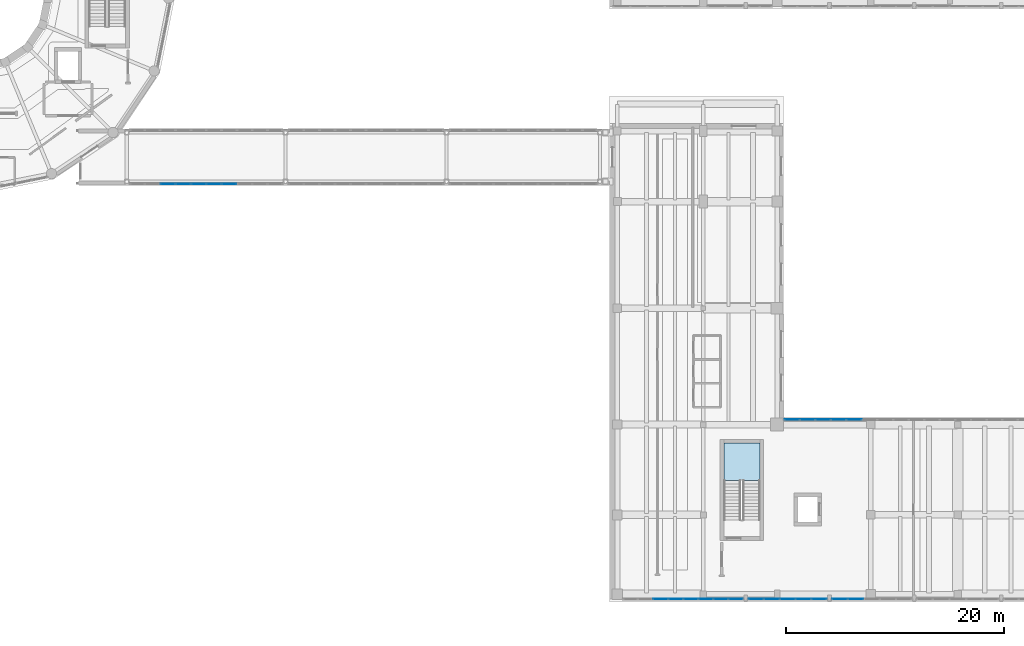
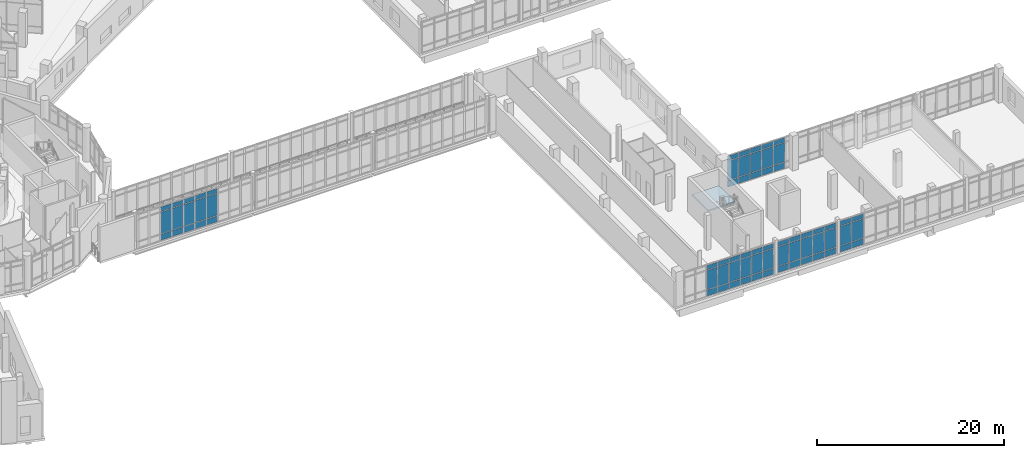
# One storey, part 48 of 89: 69 plates, 1 slab, 6 elements without a shape of their own.
"""IFC4 building model written with IfcOpenShell, lengths in metres."""

from ifc_helpers import new_model, si_unit, direction, frame, origin, origin_2d, place, context, subcontext, project, spatial, polyline, rectangle, outline, extrude, material, layer, layer_set, type_object, element, aggregate, save


model = new_model("IFC4")

# Units and contexts
model_context = context("Model", 3, precision=1e-05, world=origin(), true_north=direction((0.0, 1.0)))
body_context = subcontext(model_context, "Body", "Model", "MODEL_VIEW")
ifc_project = project(units=[si_unit("LENGTHUNIT", "METRE"), si_unit("AREAUNIT", "SQUARE_METRE"), si_unit("VOLUMEUNIT", "CUBIC_METRE"), si_unit("PLANEANGLEUNIT", "RADIAN"), si_unit("MASSUNIT", "GRAM", prefix="KILO")], contexts=[model_context])

# Site, building, storey
site_placement = place(None, origin())
site = spatial("IfcSite", under=ifc_project, at=site_placement, CompositionType="ELEMENT")
building_placement = place(site_placement, origin())
building = spatial("IfcBuilding", under=site, at=building_placement, Name="Soyqirgoq Riverine Aquarium", CompositionType="ELEMENT")
storey_placement = place(building_placement, frame((0.0, 0.0, 5.39990234375)))
storey = spatial("IfcBuildingStorey", under=building, at=storey_placement, Name="L02", CompositionType="ELEMENT", Elevation=5.39990234375)

# Curtain wall, plates
ifc_material_1 = material(Name="Anodised aluminium thermally broken gallery curtain wall", Category="aluminium")
curtain_wall_type_1 = type_object("IfcCurtainWallType", Name="CW_Pavilion_Ribbon", PredefinedType="NOTDEFINED", material=ifc_material_1)
curtain_wall_1_placement = place(storey_placement, origin())
curtain_wall_1 = element("IfcCurtainWall", 1, at=curtain_wall_1_placement, inside=storey, type_object=curtain_wall_type_1, Name="V6 L02 Curtain Wall 112", PredefinedType="NOTDEFINED")
ifc_material_2 = material(Name="Triple insulated laminated low-E glass", Category="glass")
ifc_layer_1 = layer(ifc_material_2, 0.0458984375)
ifc_layer_set_1 = layer_set([ifc_layer_1], Name="Triple insulated laminated low-E glass")
plate_type = type_object("IfcPlateType", Name="CWGlazedPanel_46", PredefinedType="CURTAIN_PANEL", material=ifc_layer_set_1)
plate_1_placement = place(storey_placement, frame((130.752685546875, 18.25, 0.074951171875), z_axis=(0.0, 0.0, 1.0), x_axis=(1.0, 0.0, 0.0)))
plate_1 = element("IfcPlate", 2, at=plate_1_placement, type_object=plate_type, Name="CW-05 panel 1.1", PredefinedType="CURTAIN_PANEL", context=body_context, shape_type="SweptSolid", body=[
    extrude(rectangle(XDim=1.33544921875, YDim=0.0458984375, at=origin_2d()), origin(), (0.0, 0.0, 1.0), 0.78759765625),
])
plate_2_placement = place(storey_placement, frame((130.752685546875, 18.25, 0.9375), z_axis=(0.0, 0.0, 1.0), x_axis=(1.0, 0.0, 0.0)))
plate_2 = element("IfcPlate", 3, at=plate_2_placement, type_object=plate_type, Name="CW-05 panel 1.2", PredefinedType="CURTAIN_PANEL", context=body_context, shape_type="SweptSolid", body=[
    extrude(rectangle(XDim=1.33544921875, YDim=0.0458984375, at=origin_2d()), origin(), (0.0, 0.0, 1.0), 2.4951171875),
])
plate_3_placement = place(storey_placement, frame((130.752685546875, 18.25, 3.507568359375), z_axis=(0.0, 0.0, 1.0), x_axis=(1.0, 0.0, 0.0)))
plate_3 = element("IfcPlate", 4, at=plate_3_placement, type_object=plate_type, Name="CW-05 panel 1.3", PredefinedType="CURTAIN_PANEL", context=body_context, shape_type="SweptSolid", body=[
    extrude(rectangle(XDim=1.33544921875, YDim=0.0458984375, at=origin_2d()), origin(), (0.0, 0.0, 1.0), 0.58740234375),
])
plate_4_placement = place(storey_placement, frame((132.169677734375, 18.25, 0.074951171875), z_axis=(0.0, 0.0, 1.0), x_axis=(1.0, 0.0, 0.0)))
plate_4 = element("IfcPlate", 5, at=plate_4_placement, type_object=plate_type, Name="CW-05 panel 2.1", PredefinedType="CURTAIN_PANEL", context=body_context, shape_type="SweptSolid", body=[
    extrude(rectangle(XDim=1.3681640625, YDim=0.0458984375, at=origin_2d()), origin(), (0.0, 0.0, 1.0), 0.78759765625),
])
plate_5_placement = place(storey_placement, frame((132.169677734375, 18.25, 0.9375), z_axis=(0.0, 0.0, 1.0), x_axis=(1.0, 0.0, 0.0)))
plate_5 = element("IfcPlate", 6, at=plate_5_placement, type_object=plate_type, Name="CW-05 panel 2.2", PredefinedType="CURTAIN_PANEL", context=body_context, shape_type="SweptSolid", body=[
    extrude(rectangle(XDim=1.3681640625, YDim=0.0458984375, at=origin_2d()), origin(), (0.0, 0.0, 1.0), 2.4951171875),
])
plate_6_placement = place(storey_placement, frame((132.169677734375, 18.25, 3.507568359375), z_axis=(0.0, 0.0, 1.0), x_axis=(1.0, 0.0, 0.0)))
plate_6 = element("IfcPlate", 7, at=plate_6_placement, type_object=plate_type, Name="CW-05 panel 2.3", PredefinedType="CURTAIN_PANEL", context=body_context, shape_type="SweptSolid", body=[
    extrude(rectangle(XDim=1.3681640625, YDim=0.0458984375, at=origin_2d()), origin(), (0.0, 0.0, 1.0), 0.58740234375),
])
plate_7_placement = place(storey_placement, frame((133.6025390625, 18.25, 0.074951171875), z_axis=(0.0, 0.0, 1.0), x_axis=(1.0, 0.0, 0.0)))
plate_7 = element("IfcPlate", 8, at=plate_7_placement, type_object=plate_type, Name="CW-05 panel 3.1", PredefinedType="CURTAIN_PANEL", context=body_context, shape_type="SweptSolid", body=[
    extrude(rectangle(XDim=1.3681640625, YDim=0.0458984375, at=origin_2d()), origin(), (0.0, 0.0, 1.0), 0.78759765625),
])
plate_8_placement = place(storey_placement, frame((133.6025390625, 18.25, 0.9375), z_axis=(0.0, 0.0, 1.0), x_axis=(1.0, 0.0, 0.0)))
plate_8 = element("IfcPlate", 9, at=plate_8_placement, type_object=plate_type, Name="CW-05 panel 3.2", PredefinedType="CURTAIN_PANEL", context=body_context, shape_type="SweptSolid", body=[
    extrude(rectangle(XDim=1.3681640625, YDim=0.0458984375, at=origin_2d()), origin(), (0.0, 0.0, 1.0), 2.4951171875),
])
plate_9_placement = place(storey_placement, frame((133.6025390625, 18.25, 3.507568359375), z_axis=(0.0, 0.0, 1.0), x_axis=(1.0, 0.0, 0.0)))
plate_9 = element("IfcPlate", 10, at=plate_9_placement, type_object=plate_type, Name="CW-05 panel 3.3", PredefinedType="CURTAIN_PANEL", context=body_context, shape_type="SweptSolid", body=[
    extrude(rectangle(XDim=1.3681640625, YDim=0.0458984375, at=origin_2d()), origin(), (0.0, 0.0, 1.0), 0.58740234375),
])
plate_10_placement = place(storey_placement, frame((135.03564453125, 18.25, 0.074951171875), z_axis=(0.0, 0.0, 1.0), x_axis=(1.0, 0.0, 0.0)))
plate_10 = element("IfcPlate", 11, at=plate_10_placement, type_object=plate_type, Name="CW-05 panel 4.1", PredefinedType="CURTAIN_PANEL", context=body_context, shape_type="SweptSolid", body=[
    extrude(rectangle(XDim=1.3681640625, YDim=0.0458984375, at=origin_2d()), origin(), (0.0, 0.0, 1.0), 0.78759765625),
])
plate_11_placement = place(storey_placement, frame((135.03564453125, 18.25, 0.9375), z_axis=(0.0, 0.0, 1.0), x_axis=(1.0, 0.0, 0.0)))
plate_11 = element("IfcPlate", 12, at=plate_11_placement, type_object=plate_type, Name="CW-05 panel 4.2", PredefinedType="CURTAIN_PANEL", context=body_context, shape_type="SweptSolid", body=[
    extrude(rectangle(XDim=1.3681640625, YDim=0.0458984375, at=origin_2d()), origin(), (0.0, 0.0, 1.0), 2.4951171875),
])
plate_12_placement = place(storey_placement, frame((135.03564453125, 18.25, 3.507568359375), z_axis=(0.0, 0.0, 1.0), x_axis=(1.0, 0.0, 0.0)))
plate_12 = element("IfcPlate", 13, at=plate_12_placement, type_object=plate_type, Name="CW-05 panel 4.3", PredefinedType="CURTAIN_PANEL", context=body_context, shape_type="SweptSolid", body=[
    extrude(rectangle(XDim=1.3681640625, YDim=0.0458984375, at=origin_2d()), origin(), (0.0, 0.0, 1.0), 0.58740234375),
])
plate_13_placement = place(storey_placement, frame((136.46875, 18.25, 0.074951171875), z_axis=(0.0, 0.0, 1.0), x_axis=(1.0, 0.0, 0.0)))
plate_13 = element("IfcPlate", 14, at=plate_13_placement, type_object=plate_type, Name="CW-05 panel 5.1", PredefinedType="CURTAIN_PANEL", context=body_context, shape_type="SweptSolid", body=[
    extrude(rectangle(XDim=1.3681640625, YDim=0.0458984375, at=origin_2d()), origin(), (0.0, 0.0, 1.0), 0.78759765625),
])
plate_14_placement = place(storey_placement, frame((136.46875, 18.25, 0.9375), z_axis=(0.0, 0.0, 1.0), x_axis=(1.0, 0.0, 0.0)))
plate_14 = element("IfcPlate", 15, at=plate_14_placement, type_object=plate_type, Name="CW-05 panel 5.2", PredefinedType="CURTAIN_PANEL", context=body_context, shape_type="SweptSolid", body=[
    extrude(rectangle(XDim=1.3681640625, YDim=0.0458984375, at=origin_2d()), origin(), (0.0, 0.0, 1.0), 2.4951171875),
])
plate_15_placement = place(storey_placement, frame((136.46875, 18.25, 3.507568359375), z_axis=(0.0, 0.0, 1.0), x_axis=(1.0, 0.0, 0.0)))
plate_15 = element("IfcPlate", 16, at=plate_15_placement, type_object=plate_type, Name="CW-05 panel 5.3", PredefinedType="CURTAIN_PANEL", context=body_context, shape_type="SweptSolid", body=[
    extrude(rectangle(XDim=1.3681640625, YDim=0.0458984375, at=origin_2d()), origin(), (0.0, 0.0, 1.0), 0.58740234375),
])
aggregate(curtain_wall_1, [plate_1, plate_2, plate_3, plate_4, plate_5, plate_6, plate_7, plate_8, plate_9, plate_10, plate_11, plate_12, plate_13, plate_14, plate_15])

curtain_wall_2_placement = place(storey_placement, origin())
curtain_wall_2 = element("IfcCurtainWall", 17, at=curtain_wall_2_placement, inside=storey, type_object=curtain_wall_type_1, Name="V6 L02 Curtain Wall 115", PredefinedType="NOTDEFINED")
plate_16_placement = place(storey_placement, frame((136.617919921875, 1.75, 0.074951171875), z_axis=(0.0, 0.0, 1.0), x_axis=(-1.0, 0.0, 0.0)))
plate_16 = element("IfcPlate", 18, at=plate_16_placement, type_object=plate_type, Name="CW-05 panel 4.1", PredefinedType="CURTAIN_PANEL", context=body_context, shape_type="SweptSolid", body=[
    extrude(rectangle(XDim=1.4169921875, YDim=0.0458984375, at=origin_2d()), origin(), (0.0, 0.0, 1.0), 0.78759765625),
])
plate_17_placement = place(storey_placement, frame((136.617919921875, 1.75, 0.9375), z_axis=(0.0, 0.0, 1.0), x_axis=(-1.0, 0.0, 0.0)))
plate_17 = element("IfcPlate", 19, at=plate_17_placement, type_object=plate_type, Name="CW-05 panel 4.2", PredefinedType="CURTAIN_PANEL", context=body_context, shape_type="SweptSolid", body=[
    extrude(rectangle(XDim=1.4169921875, YDim=0.0458984375, at=origin_2d()), origin(), (0.0, 0.0, 1.0), 2.4951171875),
])
plate_18_placement = place(storey_placement, frame((136.617919921875, 1.75, 3.507568359375), z_axis=(0.0, 0.0, 1.0), x_axis=(-1.0, 0.0, 0.0)))
plate_18 = element("IfcPlate", 20, at=plate_18_placement, type_object=plate_type, Name="CW-05 panel 4.3", PredefinedType="CURTAIN_PANEL", context=body_context, shape_type="SweptSolid", body=[
    extrude(rectangle(XDim=1.4169921875, YDim=0.0458984375, at=origin_2d()), origin(), (0.0, 0.0, 1.0), 0.58740234375),
])
plate_19_placement = place(storey_placement, frame((135.15234375, 1.75, 0.074951171875), z_axis=(0.0, 0.0, 1.0), x_axis=(-1.0, 0.0, 0.0)))
plate_19 = element("IfcPlate", 21, at=plate_19_placement, type_object=plate_type, Name="CW-05 panel 5.1", PredefinedType="CURTAIN_PANEL", context=body_context, shape_type="SweptSolid", body=[
    extrude(rectangle(XDim=1.384521484375, YDim=0.0458984375, at=origin_2d()), origin(), (0.0, 0.0, 1.0), 0.78759765625),
])
plate_20_placement = place(storey_placement, frame((135.15234375, 1.75, 0.9375), z_axis=(0.0, 0.0, 1.0), x_axis=(-1.0, 0.0, 0.0)))
plate_20 = element("IfcPlate", 22, at=plate_20_placement, type_object=plate_type, Name="CW-05 panel 5.2", PredefinedType="CURTAIN_PANEL", context=body_context, shape_type="SweptSolid", body=[
    extrude(rectangle(XDim=1.384521484375, YDim=0.0458984375, at=origin_2d()), origin(), (0.0, 0.0, 1.0), 2.4951171875),
])
plate_21_placement = place(storey_placement, frame((135.15234375, 1.75, 3.507568359375), z_axis=(0.0, 0.0, 1.0), x_axis=(-1.0, 0.0, 0.0)))
plate_21 = element("IfcPlate", 23, at=plate_21_placement, type_object=plate_type, Name="CW-05 panel 5.3", PredefinedType="CURTAIN_PANEL", context=body_context, shape_type="SweptSolid", body=[
    extrude(rectangle(XDim=1.384521484375, YDim=0.0458984375, at=origin_2d()), origin(), (0.0, 0.0, 1.0), 0.58740234375),
])
aggregate(curtain_wall_2, [plate_16, plate_17, plate_18, plate_19, plate_20, plate_21])

curtain_wall_3_placement = place(storey_placement, origin())
curtain_wall_3 = element("IfcCurtainWall", 24, at=curtain_wall_3_placement, inside=storey, type_object=curtain_wall_type_1, Name="V6 L02 Curtain Wall 116", PredefinedType="NOTDEFINED")
plate_22_placement = place(storey_placement, frame((133.2578125, 1.75, 0.074951171875), z_axis=(0.0, 0.0, 1.0), x_axis=(-1.0, 0.0, 0.0)))
plate_22 = element("IfcPlate", 25, at=plate_22_placement, type_object=plate_type, Name="CW-05 panel 1.1", PredefinedType="CURTAIN_PANEL", context=body_context, shape_type="SweptSolid", body=[
    extrude(rectangle(XDim=1.364501953125, YDim=0.0458984375, at=origin_2d()), origin(), (0.0, 0.0, 1.0), 0.78759765625),
])
plate_23_placement = place(storey_placement, frame((133.2578125, 1.75, 0.9375), z_axis=(0.0, 0.0, 1.0), x_axis=(-1.0, 0.0, 0.0)))
plate_23 = element("IfcPlate", 26, at=plate_23_placement, type_object=plate_type, Name="CW-05 panel 1.2", PredefinedType="CURTAIN_PANEL", context=body_context, shape_type="SweptSolid", body=[
    extrude(rectangle(XDim=1.364501953125, YDim=0.0458984375, at=origin_2d()), origin(), (0.0, 0.0, 1.0), 2.4951171875),
])
plate_24_placement = place(storey_placement, frame((133.2578125, 1.75, 3.507568359375), z_axis=(0.0, 0.0, 1.0), x_axis=(-1.0, 0.0, 0.0)))
plate_24 = element("IfcPlate", 27, at=plate_24_placement, type_object=plate_type, Name="CW-05 panel 1.3", PredefinedType="CURTAIN_PANEL", context=body_context, shape_type="SweptSolid", body=[
    extrude(rectangle(XDim=1.364501953125, YDim=0.0458984375, at=origin_2d()), origin(), (0.0, 0.0, 1.0), 0.58740234375),
])
plate_25_placement = place(storey_placement, frame((131.81201171875, 1.75, 0.074951171875), z_axis=(0.0, 0.0, 1.0), x_axis=(-1.0, 0.0, 0.0)))
plate_25 = element("IfcPlate", 28, at=plate_25_placement, type_object=plate_type, Name="CW-05 panel 2.1", PredefinedType="CURTAIN_PANEL", context=body_context, shape_type="SweptSolid", body=[
    extrude(rectangle(XDim=1.39697265625, YDim=0.0458984375, at=origin_2d()), origin(), (0.0, 0.0, 1.0), 0.78759765625),
])
plate_26_placement = place(storey_placement, frame((131.81201171875, 1.75, 0.9375), z_axis=(0.0, 0.0, 1.0), x_axis=(-1.0, 0.0, 0.0)))
plate_26 = element("IfcPlate", 29, at=plate_26_placement, type_object=plate_type, Name="CW-05 panel 2.2", PredefinedType="CURTAIN_PANEL", context=body_context, shape_type="SweptSolid", body=[
    extrude(rectangle(XDim=1.39697265625, YDim=0.0458984375, at=origin_2d()), origin(), (0.0, 0.0, 1.0), 2.4951171875),
])
plate_27_placement = place(storey_placement, frame((131.81201171875, 1.75, 3.507568359375), z_axis=(0.0, 0.0, 1.0), x_axis=(-1.0, 0.0, 0.0)))
plate_27 = element("IfcPlate", 30, at=plate_27_placement, type_object=plate_type, Name="CW-05 panel 2.3", PredefinedType="CURTAIN_PANEL", context=body_context, shape_type="SweptSolid", body=[
    extrude(rectangle(XDim=1.39697265625, YDim=0.0458984375, at=origin_2d()), origin(), (0.0, 0.0, 1.0), 0.58740234375),
])
plate_28_placement = place(storey_placement, frame((130.35009765625, 1.75, 0.074951171875), z_axis=(0.0, 0.0, 1.0), x_axis=(-1.0, 0.0, 0.0)))
plate_28 = element("IfcPlate", 31, at=plate_28_placement, type_object=plate_type, Name="CW-05 panel 3.1", PredefinedType="CURTAIN_PANEL", context=body_context, shape_type="SweptSolid", body=[
    extrude(rectangle(XDim=1.39697265625, YDim=0.0458984375, at=origin_2d()), origin(), (0.0, 0.0, 1.0), 0.78759765625),
])
plate_29_placement = place(storey_placement, frame((130.35009765625, 1.75, 0.9375), z_axis=(0.0, 0.0, 1.0), x_axis=(-1.0, 0.0, 0.0)))
plate_29 = element("IfcPlate", 32, at=plate_29_placement, type_object=plate_type, Name="CW-05 panel 3.2", PredefinedType="CURTAIN_PANEL", context=body_context, shape_type="SweptSolid", body=[
    extrude(rectangle(XDim=1.39697265625, YDim=0.0458984375, at=origin_2d()), origin(), (0.0, 0.0, 1.0), 2.4951171875),
])
plate_30_placement = place(storey_placement, frame((130.35009765625, 1.75, 3.507568359375), z_axis=(0.0, 0.0, 1.0), x_axis=(-1.0, 0.0, 0.0)))
plate_30 = element("IfcPlate", 33, at=plate_30_placement, type_object=plate_type, Name="CW-05 panel 3.3", PredefinedType="CURTAIN_PANEL", context=body_context, shape_type="SweptSolid", body=[
    extrude(rectangle(XDim=1.39697265625, YDim=0.0458984375, at=origin_2d()), origin(), (0.0, 0.0, 1.0), 0.58740234375),
])
plate_31_placement = place(storey_placement, frame((128.887939453125, 1.75, 0.074951171875), z_axis=(0.0, 0.0, 1.0), x_axis=(-1.0, 0.0, 0.0)))
plate_31 = element("IfcPlate", 34, at=plate_31_placement, type_object=plate_type, Name="CW-05 panel 4.1", PredefinedType="CURTAIN_PANEL", context=body_context, shape_type="SweptSolid", body=[
    extrude(rectangle(XDim=1.39697265625, YDim=0.0458984375, at=origin_2d()), origin(), (0.0, 0.0, 1.0), 0.78759765625),
])
plate_32_placement = place(storey_placement, frame((128.887939453125, 1.75, 0.9375), z_axis=(0.0, 0.0, 1.0), x_axis=(-1.0, 0.0, 0.0)))
plate_32 = element("IfcPlate", 35, at=plate_32_placement, type_object=plate_type, Name="CW-05 panel 4.2", PredefinedType="CURTAIN_PANEL", context=body_context, shape_type="SweptSolid", body=[
    extrude(rectangle(XDim=1.39697265625, YDim=0.0458984375, at=origin_2d()), origin(), (0.0, 0.0, 1.0), 2.4951171875),
])
plate_33_placement = place(storey_placement, frame((128.887939453125, 1.75, 3.507568359375), z_axis=(0.0, 0.0, 1.0), x_axis=(-1.0, 0.0, 0.0)))
plate_33 = element("IfcPlate", 36, at=plate_33_placement, type_object=plate_type, Name="CW-05 panel 4.3", PredefinedType="CURTAIN_PANEL", context=body_context, shape_type="SweptSolid", body=[
    extrude(rectangle(XDim=1.39697265625, YDim=0.0458984375, at=origin_2d()), origin(), (0.0, 0.0, 1.0), 0.58740234375),
])
plate_34_placement = place(storey_placement, frame((127.442138671875, 1.75, 0.074951171875), z_axis=(0.0, 0.0, 1.0), x_axis=(-1.0, 0.0, 0.0)))
plate_34 = element("IfcPlate", 37, at=plate_34_placement, type_object=plate_type, Name="CW-05 panel 5.1", PredefinedType="CURTAIN_PANEL", context=body_context, shape_type="SweptSolid", body=[
    extrude(rectangle(XDim=1.364501953125, YDim=0.0458984375, at=origin_2d()), origin(), (0.0, 0.0, 1.0), 0.78759765625),
])
plate_35_placement = place(storey_placement, frame((127.442138671875, 1.75, 0.9375), z_axis=(0.0, 0.0, 1.0), x_axis=(-1.0, 0.0, 0.0)))
plate_35 = element("IfcPlate", 38, at=plate_35_placement, type_object=plate_type, Name="CW-05 panel 5.2", PredefinedType="CURTAIN_PANEL", context=body_context, shape_type="SweptSolid", body=[
    extrude(rectangle(XDim=1.364501953125, YDim=0.0458984375, at=origin_2d()), origin(), (0.0, 0.0, 1.0), 2.4951171875),
])
plate_36_placement = place(storey_placement, frame((127.442138671875, 1.75, 3.507568359375), z_axis=(0.0, 0.0, 1.0), x_axis=(-1.0, 0.0, 0.0)))
plate_36 = element("IfcPlate", 39, at=plate_36_placement, type_object=plate_type, Name="CW-05 panel 5.3", PredefinedType="CURTAIN_PANEL", context=body_context, shape_type="SweptSolid", body=[
    extrude(rectangle(XDim=1.364501953125, YDim=0.0458984375, at=origin_2d()), origin(), (0.0, 0.0, 1.0), 0.58740234375),
])
aggregate(curtain_wall_3, [plate_22, plate_23, plate_24, plate_25, plate_26, plate_27, plate_28, plate_29, plate_30, plate_31, plate_32, plate_33, plate_34, plate_35, plate_36])

curtain_wall_4_placement = place(storey_placement, origin())
curtain_wall_4 = element("IfcCurtainWall", 40, at=curtain_wall_4_placement, inside=storey, type_object=curtain_wall_type_1, Name="V6 L02 Curtain Wall 117", PredefinedType="NOTDEFINED")
plate_37_placement = place(storey_placement, frame((125.594482421875, 1.75, 0.074951171875), z_axis=(0.0, 0.0, 1.0), x_axis=(-1.0, 0.0, 0.0)))
plate_37 = element("IfcPlate", 41, at=plate_37_placement, type_object=plate_type, Name="CW-05 panel 1.1", PredefinedType="CURTAIN_PANEL", context=body_context, shape_type="SweptSolid", body=[
    extrude(rectangle(XDim=1.291259765625, YDim=0.0458984375, at=origin_2d()), origin(), (0.0, 0.0, 1.0), 0.78759765625),
])
plate_38_placement = place(storey_placement, frame((125.594482421875, 1.75, 0.9375), z_axis=(0.0, 0.0, 1.0), x_axis=(-1.0, 0.0, 0.0)))
plate_38 = element("IfcPlate", 42, at=plate_38_placement, type_object=plate_type, Name="CW-05 panel 1.2", PredefinedType="CURTAIN_PANEL", context=body_context, shape_type="SweptSolid", body=[
    extrude(rectangle(XDim=1.291259765625, YDim=0.0458984375, at=origin_2d()), origin(), (0.0, 0.0, 1.0), 2.4951171875),
])
plate_39_placement = place(storey_placement, frame((125.594482421875, 1.75, 3.507568359375), z_axis=(0.0, 0.0, 1.0), x_axis=(-1.0, 0.0, 0.0)))
plate_39 = element("IfcPlate", 43, at=plate_39_placement, type_object=plate_type, Name="CW-05 panel 1.3", PredefinedType="CURTAIN_PANEL", context=body_context, shape_type="SweptSolid", body=[
    extrude(rectangle(XDim=1.291259765625, YDim=0.0458984375, at=origin_2d()), origin(), (0.0, 0.0, 1.0), 0.58740234375),
])
plate_40_placement = place(storey_placement, frame((124.221923828125, 1.75, 0.074951171875), z_axis=(0.0, 0.0, 1.0), x_axis=(-1.0, 0.0, 0.0)))
plate_40 = element("IfcPlate", 44, at=plate_40_placement, type_object=plate_type, Name="CW-05 panel 2.1", PredefinedType="CURTAIN_PANEL", context=body_context, shape_type="SweptSolid", body=[
    extrude(rectangle(XDim=1.32373046875, YDim=0.0458984375, at=origin_2d()), origin(), (0.0, 0.0, 1.0), 0.78759765625),
])
plate_41_placement = place(storey_placement, frame((124.221923828125, 1.75, 0.9375), z_axis=(0.0, 0.0, 1.0), x_axis=(-1.0, 0.0, 0.0)))
plate_41 = element("IfcPlate", 45, at=plate_41_placement, type_object=plate_type, Name="CW-05 panel 2.2", PredefinedType="CURTAIN_PANEL", context=body_context, shape_type="SweptSolid", body=[
    extrude(rectangle(XDim=1.32373046875, YDim=0.0458984375, at=origin_2d()), origin(), (0.0, 0.0, 1.0), 2.4951171875),
])
plate_42_placement = place(storey_placement, frame((124.221923828125, 1.75, 3.507568359375), z_axis=(0.0, 0.0, 1.0), x_axis=(-1.0, 0.0, 0.0)))
plate_42 = element("IfcPlate", 46, at=plate_42_placement, type_object=plate_type, Name="CW-05 panel 2.3", PredefinedType="CURTAIN_PANEL", context=body_context, shape_type="SweptSolid", body=[
    extrude(rectangle(XDim=1.32373046875, YDim=0.0458984375, at=origin_2d()), origin(), (0.0, 0.0, 1.0), 0.58740234375),
])
plate_43_placement = place(storey_placement, frame((122.8330078125, 1.75, 0.074951171875), z_axis=(0.0, 0.0, 1.0), x_axis=(-1.0, 0.0, 0.0)))
plate_43 = element("IfcPlate", 47, at=plate_43_placement, type_object=plate_type, Name="CW-05 panel 3.1", PredefinedType="CURTAIN_PANEL", context=body_context, shape_type="SweptSolid", body=[
    extrude(rectangle(XDim=1.32373046875, YDim=0.0458984375, at=origin_2d()), origin(), (0.0, 0.0, 1.0), 0.78759765625),
])
plate_44_placement = place(storey_placement, frame((122.8330078125, 1.75, 0.9375), z_axis=(0.0, 0.0, 1.0), x_axis=(-1.0, 0.0, 0.0)))
plate_44 = element("IfcPlate", 48, at=plate_44_placement, type_object=plate_type, Name="CW-05 panel 3.2", PredefinedType="CURTAIN_PANEL", context=body_context, shape_type="SweptSolid", body=[
    extrude(rectangle(XDim=1.32373046875, YDim=0.0458984375, at=origin_2d()), origin(), (0.0, 0.0, 1.0), 2.4951171875),
])
plate_45_placement = place(storey_placement, frame((122.8330078125, 1.75, 3.507568359375), z_axis=(0.0, 0.0, 1.0), x_axis=(-1.0, 0.0, 0.0)))
plate_45 = element("IfcPlate", 49, at=plate_45_placement, type_object=plate_type, Name="CW-05 panel 3.3", PredefinedType="CURTAIN_PANEL", context=body_context, shape_type="SweptSolid", body=[
    extrude(rectangle(XDim=1.32373046875, YDim=0.0458984375, at=origin_2d()), origin(), (0.0, 0.0, 1.0), 0.58740234375),
])
plate_46_placement = place(storey_placement, frame((121.4443359375, 1.75, 0.074951171875), z_axis=(0.0, 0.0, 1.0), x_axis=(-1.0, 0.0, 0.0)))
plate_46 = element("IfcPlate", 50, at=plate_46_placement, type_object=plate_type, Name="CW-05 panel 4.1", PredefinedType="CURTAIN_PANEL", context=body_context, shape_type="SweptSolid", body=[
    extrude(rectangle(XDim=1.32373046875, YDim=0.0458984375, at=origin_2d()), origin(), (0.0, 0.0, 1.0), 0.78759765625),
])
plate_47_placement = place(storey_placement, frame((121.4443359375, 1.75, 0.9375), z_axis=(0.0, 0.0, 1.0), x_axis=(-1.0, 0.0, 0.0)))
plate_47 = element("IfcPlate", 51, at=plate_47_placement, type_object=plate_type, Name="CW-05 panel 4.2", PredefinedType="CURTAIN_PANEL", context=body_context, shape_type="SweptSolid", body=[
    extrude(rectangle(XDim=1.32373046875, YDim=0.0458984375, at=origin_2d()), origin(), (0.0, 0.0, 1.0), 2.4951171875),
])
plate_48_placement = place(storey_placement, frame((121.4443359375, 1.75, 3.507568359375), z_axis=(0.0, 0.0, 1.0), x_axis=(-1.0, 0.0, 0.0)))
plate_48 = element("IfcPlate", 52, at=plate_48_placement, type_object=plate_type, Name="CW-05 panel 4.3", PredefinedType="CURTAIN_PANEL", context=body_context, shape_type="SweptSolid", body=[
    extrude(rectangle(XDim=1.32373046875, YDim=0.0458984375, at=origin_2d()), origin(), (0.0, 0.0, 1.0), 0.58740234375),
])
plate_49_placement = place(storey_placement, frame((120.0556640625, 1.75, 0.074951171875), z_axis=(0.0, 0.0, 1.0), x_axis=(-1.0, 0.0, 0.0)))
plate_49 = element("IfcPlate", 53, at=plate_49_placement, type_object=plate_type, Name="CW-05 panel 5.1", PredefinedType="CURTAIN_PANEL", context=body_context, shape_type="SweptSolid", body=[
    extrude(rectangle(XDim=1.32373046875, YDim=0.0458984375, at=origin_2d()), origin(), (0.0, 0.0, 1.0), 0.78759765625),
])
plate_50_placement = place(storey_placement, frame((120.0556640625, 1.75, 0.9375), z_axis=(0.0, 0.0, 1.0), x_axis=(-1.0, 0.0, 0.0)))
plate_50 = element("IfcPlate", 54, at=plate_50_placement, type_object=plate_type, Name="CW-05 panel 5.2", PredefinedType="CURTAIN_PANEL", context=body_context, shape_type="SweptSolid", body=[
    extrude(rectangle(XDim=1.32373046875, YDim=0.0458984375, at=origin_2d()), origin(), (0.0, 0.0, 1.0), 2.4951171875),
])
plate_51_placement = place(storey_placement, frame((120.0556640625, 1.75, 3.507568359375), z_axis=(0.0, 0.0, 1.0), x_axis=(-1.0, 0.0, 0.0)))
plate_51 = element("IfcPlate", 55, at=plate_51_placement, type_object=plate_type, Name="CW-05 panel 5.3", PredefinedType="CURTAIN_PANEL", context=body_context, shape_type="SweptSolid", body=[
    extrude(rectangle(XDim=1.32373046875, YDim=0.0458984375, at=origin_2d()), origin(), (0.0, 0.0, 1.0), 0.58740234375),
])
plate_52_placement = place(storey_placement, frame((118.6669921875, 1.75, 0.074951171875), z_axis=(0.0, 0.0, 1.0), x_axis=(-1.0, 0.0, 0.0)))
plate_52 = element("IfcPlate", 56, at=plate_52_placement, type_object=plate_type, Name="CW-05 panel 6.1", PredefinedType="CURTAIN_PANEL", context=body_context, shape_type="SweptSolid", body=[
    extrude(rectangle(XDim=1.32373046875, YDim=0.0458984375, at=origin_2d()), origin(), (0.0, 0.0, 1.0), 0.78759765625),
])
plate_53_placement = place(storey_placement, frame((118.6669921875, 1.75, 0.9375), z_axis=(0.0, 0.0, 1.0), x_axis=(-1.0, 0.0, 0.0)))
plate_53 = element("IfcPlate", 57, at=plate_53_placement, type_object=plate_type, Name="CW-05 panel 6.2", PredefinedType="CURTAIN_PANEL", context=body_context, shape_type="SweptSolid", body=[
    extrude(rectangle(XDim=1.32373046875, YDim=0.0458984375, at=origin_2d()), origin(), (0.0, 0.0, 1.0), 2.4951171875),
])
plate_54_placement = place(storey_placement, frame((118.6669921875, 1.75, 3.507568359375), z_axis=(0.0, 0.0, 1.0), x_axis=(-1.0, 0.0, 0.0)))
plate_54 = element("IfcPlate", 58, at=plate_54_placement, type_object=plate_type, Name="CW-05 panel 6.3", PredefinedType="CURTAIN_PANEL", context=body_context, shape_type="SweptSolid", body=[
    extrude(rectangle(XDim=1.32373046875, YDim=0.0458984375, at=origin_2d()), origin(), (0.0, 0.0, 1.0), 0.58740234375),
])
aggregate(curtain_wall_4, [plate_37, plate_38, plate_39, plate_40, plate_41, plate_42, plate_43, plate_44, plate_45, plate_46, plate_47, plate_48, plate_49, plate_50, plate_51, plate_52, plate_53, plate_54])

ifc_material_3 = material(Name="Laminated solar-control bridge curtain wall", Category="aluminium")
curtain_wall_type_2 = type_object("IfcCurtainWallType", Name="CW_Bridge_Concourse", PredefinedType="NOTDEFINED", material=ifc_material_3)
curtain_wall_5_placement = place(storey_placement, origin())
curtain_wall_5 = element("IfcCurtainWall", 59, at=curtain_wall_5_placement, inside=storey, type_object=curtain_wall_type_2, Name="BR-1 L02 Curtain Wall 135", PredefinedType="NOTDEFINED")
plate_55_placement = place(storey_placement, frame((73.3701171875, 39.919921875, 0.074951171875), z_axis=(0.0, 0.0, 1.0), x_axis=(1.0, 0.0, 0.0)))
plate_55 = element("IfcPlate", 60, at=plate_55_placement, type_object=plate_type, Name="CW-06 panel 3.1", PredefinedType="CURTAIN_PANEL", context=body_context, shape_type="SweptSolid", body=[
    extrude(rectangle(XDim=1.33203125, YDim=0.0458984375, at=origin_2d()), origin(), (0.0, 0.0, 1.0), 0.78759765625),
])
plate_56_placement = place(storey_placement, frame((73.3701171875, 39.919921875, 0.9375), z_axis=(0.0, 0.0, 1.0), x_axis=(1.0, 0.0, 0.0)))
plate_56 = element("IfcPlate", 61, at=plate_56_placement, type_object=plate_type, Name="CW-06 panel 3.2", PredefinedType="CURTAIN_PANEL", context=body_context, shape_type="SweptSolid", body=[
    extrude(rectangle(XDim=1.33203125, YDim=0.0458984375, at=origin_2d()), origin(), (0.0, 0.0, 1.0), 2.824951171875),
])
plate_57_placement = place(storey_placement, frame((73.3701171875, 39.919921875, 3.837646484375), z_axis=(0.0, 0.0, 1.0), x_axis=(1.0, 0.0, 0.0)))
plate_57 = element("IfcPlate", 62, at=plate_57_placement, type_object=plate_type, Name="CW-06 panel 3.3", PredefinedType="CURTAIN_PANEL", context=body_context, shape_type="SweptSolid", body=[
    extrude(rectangle(XDim=1.33203125, YDim=0.0458984375, at=origin_2d()), origin(), (0.0, 0.0, 1.0), 0.58740234375),
])
plate_58_placement = place(storey_placement, frame((74.781982421875, 39.919921875, 0.074951171875), z_axis=(0.0, 0.0, 1.0), x_axis=(1.0, 0.0, 0.0)))
plate_58 = element("IfcPlate", 63, at=plate_58_placement, type_object=plate_type, Name="CW-06 panel 4.1", PredefinedType="CURTAIN_PANEL", context=body_context, shape_type="SweptSolid", body=[
    extrude(rectangle(XDim=1.33203125, YDim=0.0458984375, at=origin_2d()), origin(), (0.0, 0.0, 1.0), 0.78759765625),
])
plate_59_placement = place(storey_placement, frame((74.781982421875, 39.919921875, 0.9375), z_axis=(0.0, 0.0, 1.0), x_axis=(1.0, 0.0, 0.0)))
plate_59 = element("IfcPlate", 64, at=plate_59_placement, type_object=plate_type, Name="CW-06 panel 4.2", PredefinedType="CURTAIN_PANEL", context=body_context, shape_type="SweptSolid", body=[
    extrude(rectangle(XDim=1.33203125, YDim=0.0458984375, at=origin_2d()), origin(), (0.0, 0.0, 1.0), 2.824951171875),
])
plate_60_placement = place(storey_placement, frame((74.781982421875, 39.919921875, 3.837646484375), z_axis=(0.0, 0.0, 1.0), x_axis=(1.0, 0.0, 0.0)))
plate_60 = element("IfcPlate", 65, at=plate_60_placement, type_object=plate_type, Name="CW-06 panel 4.3", PredefinedType="CURTAIN_PANEL", context=body_context, shape_type="SweptSolid", body=[
    extrude(rectangle(XDim=1.33203125, YDim=0.0458984375, at=origin_2d()), origin(), (0.0, 0.0, 1.0), 0.58740234375),
])
plate_61_placement = place(storey_placement, frame((76.194091796875, 39.919921875, 0.074951171875), z_axis=(0.0, 0.0, 1.0), x_axis=(1.0, 0.0, 0.0)))
plate_61 = element("IfcPlate", 66, at=plate_61_placement, type_object=plate_type, Name="CW-06 panel 5.1", PredefinedType="CURTAIN_PANEL", context=body_context, shape_type="SweptSolid", body=[
    extrude(rectangle(XDim=1.33203125, YDim=0.0458984375, at=origin_2d()), origin(), (0.0, 0.0, 1.0), 0.78759765625),
])
plate_62_placement = place(storey_placement, frame((76.194091796875, 39.919921875, 0.9375), z_axis=(0.0, 0.0, 1.0), x_axis=(1.0, 0.0, 0.0)))
plate_62 = element("IfcPlate", 67, at=plate_62_placement, type_object=plate_type, Name="CW-06 panel 5.2", PredefinedType="CURTAIN_PANEL", context=body_context, shape_type="SweptSolid", body=[
    extrude(rectangle(XDim=1.33203125, YDim=0.0458984375, at=origin_2d()), origin(), (0.0, 0.0, 1.0), 2.824951171875),
])
plate_63_placement = place(storey_placement, frame((76.194091796875, 39.919921875, 3.837646484375), z_axis=(0.0, 0.0, 1.0), x_axis=(1.0, 0.0, 0.0)))
plate_63 = element("IfcPlate", 68, at=plate_63_placement, type_object=plate_type, Name="CW-06 panel 5.3", PredefinedType="CURTAIN_PANEL", context=body_context, shape_type="SweptSolid", body=[
    extrude(rectangle(XDim=1.33203125, YDim=0.0458984375, at=origin_2d()), origin(), (0.0, 0.0, 1.0), 0.58740234375),
])
plate_64_placement = place(storey_placement, frame((77.60595703125, 39.919921875, 0.074951171875), z_axis=(0.0, 0.0, 1.0), x_axis=(1.0, 0.0, 0.0)))
plate_64 = element("IfcPlate", 69, at=plate_64_placement, type_object=plate_type, Name="CW-06 panel 6.1", PredefinedType="CURTAIN_PANEL", context=body_context, shape_type="SweptSolid", body=[
    extrude(rectangle(XDim=1.33203125, YDim=0.0458984375, at=origin_2d()), origin(), (0.0, 0.0, 1.0), 0.78759765625),
])
plate_65_placement = place(storey_placement, frame((77.60595703125, 39.919921875, 0.9375), z_axis=(0.0, 0.0, 1.0), x_axis=(1.0, 0.0, 0.0)))
plate_65 = element("IfcPlate", 70, at=plate_65_placement, type_object=plate_type, Name="CW-06 panel 6.2", PredefinedType="CURTAIN_PANEL", context=body_context, shape_type="SweptSolid", body=[
    extrude(rectangle(XDim=1.33203125, YDim=0.0458984375, at=origin_2d()), origin(), (0.0, 0.0, 1.0), 2.824951171875),
])
plate_66_placement = place(storey_placement, frame((77.60595703125, 39.919921875, 3.837646484375), z_axis=(0.0, 0.0, 1.0), x_axis=(1.0, 0.0, 0.0)))
plate_66 = element("IfcPlate", 71, at=plate_66_placement, type_object=plate_type, Name="CW-06 panel 6.3", PredefinedType="CURTAIN_PANEL", context=body_context, shape_type="SweptSolid", body=[
    extrude(rectangle(XDim=1.33203125, YDim=0.0458984375, at=origin_2d()), origin(), (0.0, 0.0, 1.0), 0.58740234375),
])
plate_67_placement = place(storey_placement, frame((79.01806640625, 39.919921875, 0.074951171875), z_axis=(0.0, 0.0, 1.0), x_axis=(1.0, 0.0, 0.0)))
plate_67 = element("IfcPlate", 72, at=plate_67_placement, type_object=plate_type, Name="CW-06 panel 7.1", PredefinedType="CURTAIN_PANEL", context=body_context, shape_type="SweptSolid", body=[
    extrude(rectangle(XDim=1.33203125, YDim=0.0458984375, at=origin_2d()), origin(), (0.0, 0.0, 1.0), 0.78759765625),
])
plate_68_placement = place(storey_placement, frame((79.01806640625, 39.919921875, 0.9375), z_axis=(0.0, 0.0, 1.0), x_axis=(1.0, 0.0, 0.0)))
plate_68 = element("IfcPlate", 73, at=plate_68_placement, type_object=plate_type, Name="CW-06 panel 7.2", PredefinedType="CURTAIN_PANEL", context=body_context, shape_type="SweptSolid", body=[
    extrude(rectangle(XDim=1.33203125, YDim=0.0458984375, at=origin_2d()), origin(), (0.0, 0.0, 1.0), 2.824951171875),
])
plate_69_placement = place(storey_placement, frame((79.01806640625, 39.919921875, 3.837646484375), z_axis=(0.0, 0.0, 1.0), x_axis=(1.0, 0.0, 0.0)))
plate_69 = element("IfcPlate", 74, at=plate_69_placement, type_object=plate_type, Name="CW-06 panel 7.3", PredefinedType="CURTAIN_PANEL", context=body_context, shape_type="SweptSolid", body=[
    extrude(rectangle(XDim=1.33203125, YDim=0.0458984375, at=origin_2d()), origin(), (0.0, 0.0, 1.0), 0.58740234375),
])
aggregate(curtain_wall_5, [plate_55, plate_56, plate_57, plate_58, plate_59, plate_60, plate_61, plate_62, plate_63, plate_64, plate_65, plate_66, plate_67, plate_68, plate_69])

# Stair, slab
ifc_material_4 = material(Name="Concrete C35/45", Category="concrete")
stair_type = type_object("IfcStairType", Name="CoreDoglegStair_RC", PredefinedType="HALF_TURN_STAIR", material=ifc_material_4)
stair_placement = place(storey_placement, origin())
stair = element("IfcStair", 75, at=stair_placement, inside=storey, type_object=stair_type, Name="L02 Enclosed Exit Stair ST-7", PredefinedType="HALF_TURN_STAIR")
ifc_material_5 = material(Name="Concrete C35/45", Category="concrete")
ifc_layer_2 = layer(ifc_material_5, 0.199951171875)
ifc_layer_set_2 = layer_set([ifc_layer_2], Name="Concrete C35/45")
slab_type = type_object("IfcSlabType", Name="CoreStairLanding_RC", PredefinedType="LANDING", material=ifc_layer_set_2)
slab_placement = place(storey_placement, frame((0.0, 0.0, 2.2001953125)))
slab = element("IfcSlab", 76, at=slab_placement, type_object=slab_type, Name="ST-7 landing 1", PredefinedType="LANDING", context=body_context, shape_type="SweptSolid", body=[
    extrude(outline(polyline([(127.800048828125, 12.64990234375), (127.800048828125, 16.10009765625), (124.5, 16.10009765625), (124.5, 12.64990234375), (127.800048828125, 12.64990234375)])), origin(), (0.0, 0.0, 1.0), 0.199951171875),
])
aggregate(stair, [slab])

save(model, "model.ifc")
